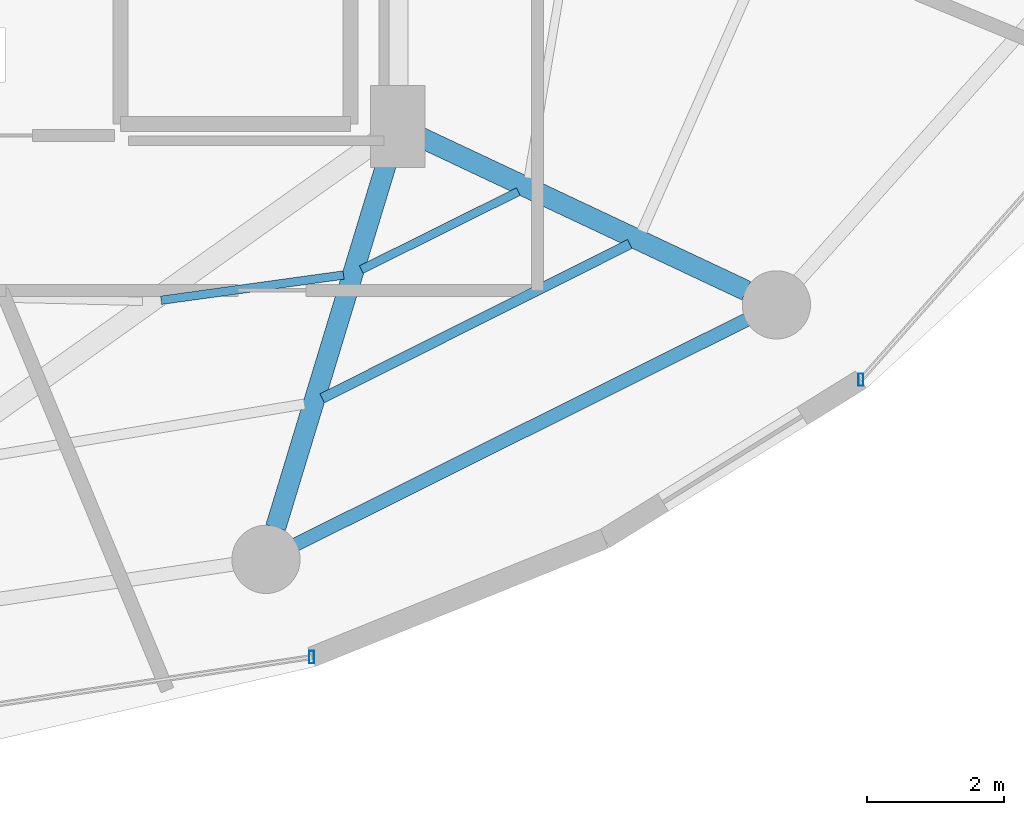
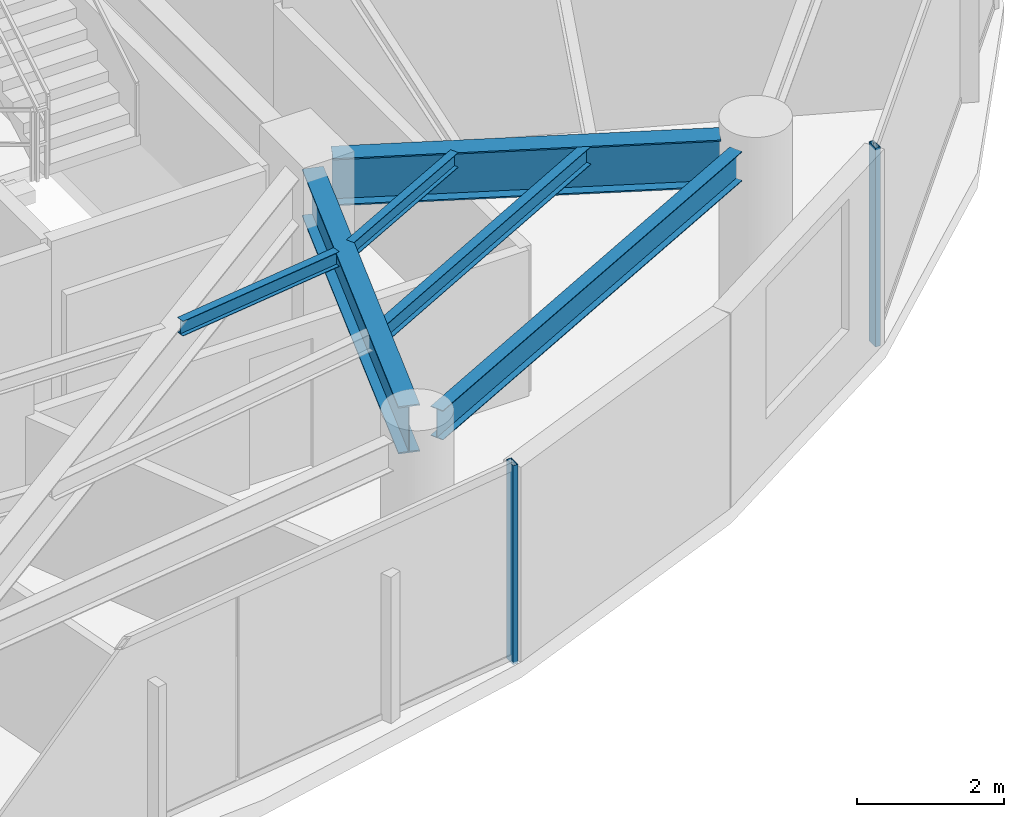
# One storey, part 10 of 28: 6 beams, 2 members, 2 elements without a shape of their own.
"""IFC4 building model written with IfcOpenShell, lengths in metres."""

from ifc_helpers import new_model, si_unit, direction, frame, origin, origin_2d, place, context, subcontext, project, spatial, hollow_rectangle, i_section, extrude, material, material_profile, profile_set, type_object, element, aggregate, save


model = new_model("IFC4")

# Units and contexts
model_context = context("Model", 3, precision=1e-05, world=origin(), true_north=direction((0.0, 1.0)))
body_context = subcontext(model_context, "Body", "Model", "MODEL_VIEW")
ifc_project = project(units=[si_unit("LENGTHUNIT", "METRE"), si_unit("AREAUNIT", "SQUARE_METRE"), si_unit("VOLUMEUNIT", "CUBIC_METRE"), si_unit("PLANEANGLEUNIT", "RADIAN"), si_unit("MASSUNIT", "GRAM", prefix="KILO")], contexts=[model_context])

# Site, building, storey
site_placement = place(None, origin())
site = spatial("IfcSite", under=ifc_project, at=site_placement, CompositionType="ELEMENT")
building_placement = place(site_placement, origin())
building = spatial("IfcBuilding", under=site, at=building_placement, Name="Vorneva Point Tower", CompositionType="ELEMENT")
storey_placement = place(building_placement, frame((0.0, 0.0, 143.10009765625)))
storey = spatial("IfcBuildingStorey", under=building, at=storey_placement, Name="L38", CompositionType="ELEMENT", Elevation=143.10009765625)

# Beams
ifc_material_1 = material(Name="Steel S355", Category="steel")
ifc_material_profile_1 = material_profile(ifc_material_1, i_section(OverallWidth=0.300048828125, OverallDepth=0.7880859375, WebThickness=0.014404296875, FlangeThickness=0.02197265625, at=origin_2d()), Name="80Sh1")
ifc_profile_set_1 = profile_set([ifc_material_profile_1], Name="Steel S355")
beam_type_1 = type_object("IfcBeamType", Name="BM-GRD-80Sh1", PredefinedType="USERDEFINED", material=ifc_profile_set_1)
beam_1_placement = place(storey_placement, frame((46.962890625, 10.576171875, 2.845947265625), z_axis=(0.291049382966, 0.95670803105, 0.0), x_axis=(-0.95670803105, 0.291049382966, 0.0)))
element("IfcBeam", 1, at=beam_1_placement, inside=storey, type_object=beam_type_1, Name="L38 Radial Primary Girder 14", ObjectType="GIRDER", PredefinedType="USERDEFINED", context=body_context, shape_type="SweptSolid", body=[
    extrude(i_section(OverallWidth=0.300048828125, OverallDepth=0.7880859375, WebThickness=0.014404296875, FlangeThickness=0.02197265625, at=origin_2d()), origin(), (0.0, 0.0, 1.0), 5.799560546875),
])
beam_2_placement = place(storey_placement, frame((53.857421875, 14.045654296875, 2.845947265625), z_axis=(-0.904761331435, 0.425918927896, 0.0), x_axis=(-0.425918927896, -0.904761331435, 0.0)))
element("IfcBeam", 2, at=beam_2_placement, inside=storey, type_object=beam_type_1, Name="L38 Radial Primary Girder 15", ObjectType="GIRDER", PredefinedType="USERDEFINED", context=body_context, shape_type="SweptSolid", body=[
    extrude(i_section(OverallWidth=0.300048828125, OverallDepth=0.7880859375, WebThickness=0.014404296875, FlangeThickness=0.02197265625, at=origin_2d()), origin(), (0.0, 0.0, 1.0), 5.304931640625),
])
ifc_material_profile_2 = material_profile(ifc_material_1, i_section(OverallWidth=0.1240234375, OverallDepth=0.248046875, WebThickness=0.0048828125, FlangeThickness=0.008056640625, at=origin_2d()), Name="25B1")
ifc_profile_set_2 = profile_set([ifc_material_profile_2], Name="Steel S355")
beam_type_2 = type_object("IfcBeamType", Name="BM-JST-25B1", PredefinedType="JOIST", material=ifc_profile_set_2)
beam_3_placement = place(storey_placement, frame((45.284912109375, 13.90576171875, 3.115966796875), z_axis=(0.990594076533, 0.136833386051, 0.0), x_axis=(-0.136833386051, 0.990594076533, 0.0)))
element("IfcBeam", 3, at=beam_3_placement, inside=storey, type_object=beam_type_2, Name="L38 Secondary Floor Beam 2.13", PredefinedType="JOIST", context=body_context, shape_type="SweptSolid", body=[
    extrude(i_section(OverallWidth=0.1240234375, OverallDepth=0.248046875, WebThickness=0.0048828125, FlangeThickness=0.008056640625, at=origin_2d()), origin(), (0.0, 0.0, 1.0), 2.69775390625),
])
beam_4_placement = place(storey_placement, frame((48.217529296875, 14.35498046875, 3.115966796875), z_axis=(0.895489131745, 0.445083379746, 0.0), x_axis=(-0.445083379746, 0.895489131745, 0.0)))
element("IfcBeam", 4, at=beam_4_placement, inside=storey, type_object=beam_type_2, Name="L38 Secondary Floor Beam 2.14", PredefinedType="JOIST", context=body_context, shape_type="SweptSolid", body=[
    extrude(i_section(OverallWidth=0.1240234375, OverallDepth=0.248046875, WebThickness=0.0048828125, FlangeThickness=0.008056640625, at=origin_2d()), origin(), (0.0, 0.0, 1.0), 2.56884765625),
])
ifc_material_profile_3 = material_profile(ifc_material_1, i_section(OverallWidth=0.14892578125, OverallDepth=0.298095703125, WebThickness=0.005615234375, FlangeThickness=0.008056640625, at=origin_2d()), Name="30B1")
ifc_profile_set_3 = profile_set([ifc_material_profile_3], Name="Steel S355")
beam_type_3 = type_object("IfcBeamType", Name="BM-JST-30B1", PredefinedType="JOIST", material=ifc_profile_set_3)
beam_5_placement = place(storey_placement, frame((47.643310546875, 12.468994140625, 3.0908203125), z_axis=(0.893855059999, 0.448356032316, 0.0), x_axis=(-0.448356032316, 0.893855059999, 0.0)))
element("IfcBeam", 5, at=beam_5_placement, inside=storey, type_object=beam_type_3, Name="L38 Secondary Floor Beam 1.14", PredefinedType="JOIST", context=body_context, shape_type="SweptSolid", body=[
    extrude(i_section(OverallWidth=0.14892578125, OverallDepth=0.298095703125, WebThickness=0.005615234375, FlangeThickness=0.008056640625, at=origin_2d()), origin(), (0.0, 0.0, 1.0), 5.041748046875),
])
ifc_material_profile_4 = material_profile(ifc_material_1, i_section(OverallWidth=0.199951171875, OverallDepth=0.491943359375, WebThickness=0.0087890625, FlangeThickness=0.011962890625, at=origin_2d()), Name="50B1")
ifc_profile_set_4 = profile_set([ifc_material_profile_4], Name="Steel S355")
beam_type_4 = type_object("IfcBeamType", Name="BM-SPN-50B1", PredefinedType="SPANDREL", material=ifc_profile_set_4)
beam_6_placement = place(storey_placement, frame((47.2548828125, 10.32568359375, 2.993896484375), z_axis=(0.894929061397, 0.446208443518, 0.0), x_axis=(-0.446208443518, 0.894929061397, 0.0)))
element("IfcBeam", 6, at=beam_6_placement, inside=storey, type_object=beam_type_4, Name="L38 Perimeter Spandrel Ring Beam 14", PredefinedType="SPANDREL", context=body_context, shape_type="SweptSolid", body=[
    extrude(i_section(OverallWidth=0.199951171875, OverallDepth=0.491943359375, WebThickness=0.0087890625, FlangeThickness=0.011962890625, at=origin_2d()), origin(), (0.0, 0.0, 1.0), 7.385986328125),
])

# Curtain wall, member
ifc_material_2 = material(Name="Pale anodised aluminium", Category="aluminium")
curtain_wall_type = type_object("IfcCurtainWallType", Name="CW-RES-SYS", PredefinedType="NOTDEFINED", material=ifc_material_2)
curtain_wall_1_placement = place(storey_placement, origin())
curtain_wall_1 = element("IfcCurtainWall", 7, at=curtain_wall_1_placement, inside=storey, type_object=curtain_wall_type, Name="L38 Unitised Curtain Wall CW-L38-R03", PredefinedType="NOTDEFINED")
ifc_material_profile_5 = material_profile(ifc_material_2, hollow_rectangle(XDim=0.074951171875, YDim=0.179931640625, WallThickness=0.00390625, at=origin_2d()), Name="AL-MUL 180x75x4")
ifc_profile_set_5 = profile_set([ifc_material_profile_5], Name="Pale anodised aluminium")
member_type = type_object("IfcMemberType", Name="CW-MUL-180", PredefinedType="MULLION", material=ifc_profile_set_5)
member_1_placement = place(storey_placement, frame((47.490478515625, 8.67724609375, -0.0400390625), z_axis=(0.0, 0.0, 1.0), x_axis=(1.0, 0.0, 0.0)))
member_1 = element("IfcMember", 8, at=member_1_placement, type_object=member_type, Name="CW-L38-R03 Mullion 02", PredefinedType="MULLION", context=body_context, shape_type="SweptSolid", body=[
    extrude(hollow_rectangle(XDim=0.074951171875, YDim=0.179931640625, WallThickness=0.00390625, at=origin_2d()), origin(), (0.0, 0.0, 1.0), 3.31005859375),
])
aggregate(curtain_wall_1, [member_1])

curtain_wall_2_placement = place(storey_placement, origin())
curtain_wall_2 = element("IfcCurtainWall", 9, at=curtain_wall_2_placement, inside=storey, type_object=curtain_wall_type, Name="L38 Unitised Curtain Wall CW-L38-R04", PredefinedType="NOTDEFINED")
member_2_placement = place(storey_placement, frame((55.5361328125, 12.74169921875, -0.0400390625), z_axis=(0.0, 0.0, 1.0), x_axis=(1.0, 0.0, 0.0)))
member_2 = element("IfcMember", 10, at=member_2_placement, type_object=member_type, Name="CW-L38-R04 Mullion 01", PredefinedType="MULLION", context=body_context, shape_type="SweptSolid", body=[
    extrude(hollow_rectangle(XDim=0.074951171875, YDim=0.179931640625, WallThickness=0.00390625, at=origin_2d()), origin(), (0.0, 0.0, 1.0), 3.31005859375),
])
aggregate(curtain_wall_2, [member_2])

save(model, "model.ifc")
